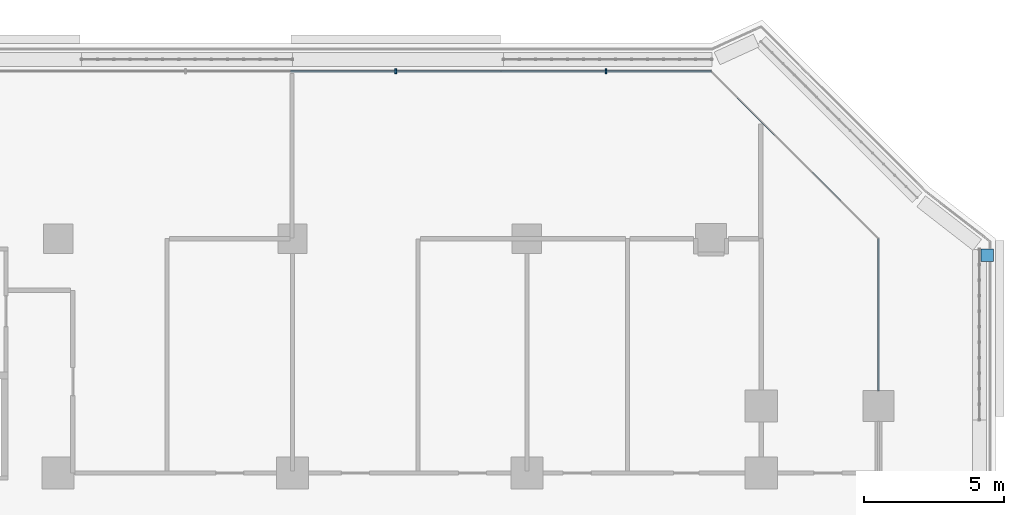
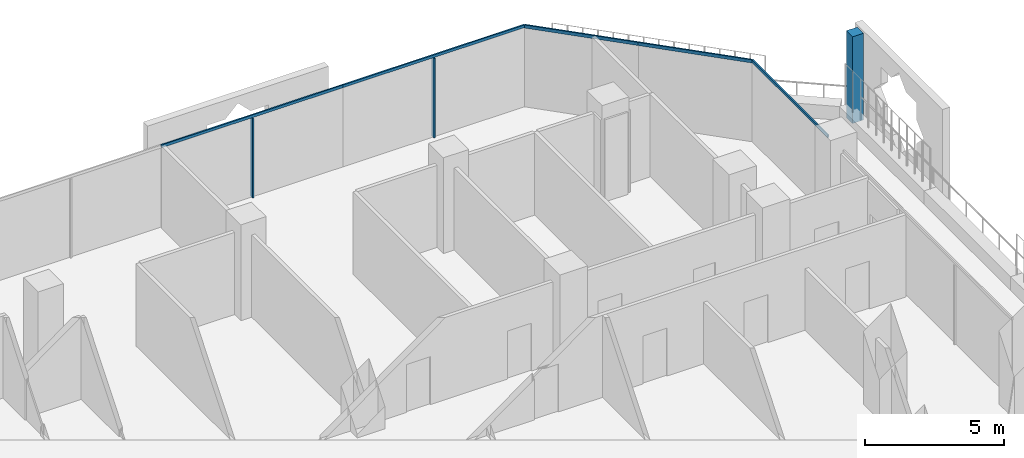
# One storey, part 10 of 27: 8 members, 4 elements without a shape of their own.
"""IFC4 building model written with IfcOpenShell, lengths in metres."""

import ifcopenshell
import ifcopenshell.guid

model = None  # the IFC model being written
_history = None  # IfcOwnerHistory: only IFC2X3 demands one
_inside = {}  # id of a spatial element -> (the spatial element, [elements in it])
_under = {}  # id of a project, library or spatial element -> (it, [spatial elements below it])
_declared = {}  # id of a project -> (the project, [libraries it declares])
_typed = {}  # id of a type object -> (the type object, [elements of that type])
_made_of = {}  # id of a material, layer set ... -> (it, [elements and type objects made of it])


def new_model(schema):
    """Start an empty IFC model of exactly this schema.

    Asked for "IFC4X3", IfcOpenShell would pick the latest addendum, in which some entities
    have other attributes; the version numbers below select the first issue.
    IFC2X3 requires an IfcOwnerHistory on every rooted entity: one is made here for all.
    """
    global model, _history
    if schema == "IFC4X3":
        model = ifcopenshell.file(schema_version=(4, 3, 0, 0))
    else:
        model = ifcopenshell.file(schema=schema)
    _inside.clear()
    _under.clear()
    _declared.clear()
    _typed.clear()
    _made_of.clear()
    _history = None
    if model.schema == "IFC2X3":
        org = make("IfcOrganization", Name="unknown")
        user = make(
            "IfcPersonAndOrganization",
            ThePerson=make("IfcPerson", FamilyName="unknown"),
            TheOrganization=org,
        )
        app = make(
            "IfcApplication",
            ApplicationDeveloper=org,
            Version="unknown",
            ApplicationFullName="unknown",
            ApplicationIdentifier="unknown",
        )
        _history = make(
            "IfcOwnerHistory",
            OwningUser=user,
            OwningApplication=app,
            ChangeAction="ADDED",
            CreationDate=0,
        )
    return model


def make(cls, **values):
    """One entity of the class cls with the attributes given. An attribute that is None is left unset."""
    return model.create_entity(
        cls, **{name: value for name, value in values.items() if value is not None}
    )


def rooted(cls, **values):
    """An entity with a GlobalId (a new one), such as an element, a storey or a relation."""
    return make(cls, GlobalId=ifcopenshell.guid.new(), OwnerHistory=_history, **values)


def si_unit(unit_type, name, prefix=None):
    """IfcSIUnit, for example si_unit("LENGTHUNIT", "METRE", prefix="MILLI")."""
    return make("IfcSIUnit", UnitType=unit_type, Prefix=prefix, Name=name)


def assignment(units):
    """IfcUnitAssignment: the units of a project."""
    return None if units is None else make("IfcUnitAssignment", Units=units)


def point(xyz):
    """IfcCartesianPoint."""
    return None if xyz is None else make("IfcCartesianPoint", Coordinates=xyz)


def direction(xyz):
    """IfcDirection."""
    return None if xyz is None else make("IfcDirection", DirectionRatios=xyz)


def frame(location, z_axis=None, x_axis=None):
    """IfcAxis2Placement3D, a coordinate frame: its origin and axes. An axis left out is left unset."""
    return make(
        "IfcAxis2Placement3D",
        Location=point(location),
        Axis=direction(z_axis),
        RefDirection=direction(x_axis),
    )


def frame_2d(location, x_axis=None):
    """IfcAxis2Placement2D, a coordinate frame in the plane: its origin and x axis."""
    return make(
        "IfcAxis2Placement2D", Location=point(location), RefDirection=direction(x_axis)
    )


def origin():
    """The frame at (0, 0, 0) with its axes left unset."""
    return frame((0.0, 0.0, 0.0))


def origin_2d():
    """The frame at (0, 0) in the plane with its x axis left unset."""
    return frame_2d((0.0, 0.0))


def place(relative_to, where):
    """IfcLocalPlacement: puts the frame where relative to a parent placement (None: the world)."""
    return make(
        "IfcLocalPlacement", PlacementRelTo=relative_to, RelativePlacement=where
    )


def context(
    kind, dimensions, precision=None, world=None, true_north=None, identifier=None
):
    """IfcGeometricRepresentationContext, for example the 3D "Model" context."""
    return make(
        "IfcGeometricRepresentationContext",
        ContextIdentifier=identifier,
        ContextType=kind,
        CoordinateSpaceDimension=dimensions,
        Precision=precision,
        WorldCoordinateSystem=world,
        TrueNorth=true_north,
    )


def subcontext(parent, identifier, kind, view, scale=None):
    """IfcGeometricRepresentationSubContext, for example "Body" below "Model"."""
    return make(
        "IfcGeometricRepresentationSubContext",
        ContextIdentifier=identifier,
        ContextType=kind,
        ParentContext=parent,
        TargetScale=scale,
        TargetView=view,
    )


def project(units=None, contexts=None):
    """IfcProject with its units and contexts."""
    return rooted(
        "IfcProject",
        Name="project",
        RepresentationContexts=contexts,
        UnitsInContext=assignment(units),
    )


def spatial(cls, under=None, at=None, **own):
    """A site, building, storey or space (cls), placed at a placement, below another one or the project."""
    s = rooted(cls, ObjectPlacement=at, **own)
    if under is not None:
        _under.setdefault(under.id(), (under, []))[1].append(s)
    return s


def profile(cls, at=None, kind="AREA", **sizes):
    """A parametric profile (cls). Its sizes go by their IFC names, for example OverallWidth=200.0."""
    return make(cls, ProfileType=kind, Position=at, **sizes)


def rectangle(**sizes):
    """IfcRectangleProfileDef."""
    return profile("IfcRectangleProfileDef", **sizes)


def extrude(swept, where, along, depth):
    """IfcExtrudedAreaSolid: the profile swept, set in the frame where, extruded along a direction by depth."""
    return make(
        "IfcExtrudedAreaSolid",
        SweptArea=swept,
        Position=where,
        ExtrudedDirection=direction(along),
        Depth=depth,
    )


def shape(context_of_items, identifier, shape_type, items):
    """IfcShapeRepresentation: the items that make up one representation, for example the "Body"."""
    return make(
        "IfcShapeRepresentation",
        ContextOfItems=context_of_items,
        RepresentationIdentifier=identifier,
        RepresentationType=shape_type,
        Items=items,
    )


def material(Name=None, Category=None):
    """IfcMaterial."""
    return make("IfcMaterial", Name=Name, Category=Category)


def layer(
    of_material, thickness, ventilated=None, Name=None, Category=None, Priority=None
):
    """IfcMaterialLayer: one layer of a wall or slab, of a material (None: an air gap)."""
    return make(
        "IfcMaterialLayer",
        Material=of_material,
        LayerThickness=thickness,
        IsVentilated=ventilated,
        Name=Name,
        Category=Category,
        Priority=Priority,
    )


def layer_set(layers, Name=None):
    """IfcMaterialLayerSet."""
    return make("IfcMaterialLayerSet", MaterialLayers=layers, LayerSetName=Name)


def material_profile(
    of_material, cross_section, Name=None, Category=None, Priority=None
):
    """IfcMaterialProfile: a cross section and its material."""
    return make(
        "IfcMaterialProfile",
        Name=Name,
        Material=of_material,
        Profile=cross_section,
        Priority=Priority,
        Category=Category,
    )


def profile_set(profiles, Name=None, composite=None):
    """IfcMaterialProfileSet."""
    return make(
        "IfcMaterialProfileSet",
        Name=Name,
        MaterialProfiles=profiles,
        CompositeProfile=composite,
    )


def made_of(thing, what):
    """Note that an element or type object is made of a material, layer set ...; save() writes the relation."""
    if what is not None:
        _made_of.setdefault(what.id(), (what, []))[1].append(thing)
    return thing


def type_object(cls, material=None, **own):
    """A type object (cls), such as IfcWallType, which elements share."""
    return made_of(rooted(cls, **own), material)


def element(
    cls,
    number,
    at=None,
    inside=None,
    cuts=None,
    type_object=None,
    material=None,
    context=None,
    identifier="Body",
    shape_type=None,
    held_by="IfcProductDefinitionShape",
    body=None,
    shapes=None,
    **own,
):
    """One element of the class cls, such as IfcWall. Its Tag is "e" and its number.

    at: its placement. inside: the storey or other place that contains it. cuts: it is an
    opening in that element (IfcRelVoidsElement). A single representation is given by context,
    identifier, shape_type and body (its items); several are given by shapes. held_by: the class
    of the entity that holds the representations. save() writes the other relations.
    """
    e = rooted(cls, Tag="e%d" % number, ObjectPlacement=at, **own)
    if body is not None:
        shapes = [shape(context, identifier, shape_type, body)]
    if shapes is not None:
        e.Representation = make(held_by, Representations=shapes)
    if inside is not None:
        _inside.setdefault(inside.id(), (inside, []))[1].append(e)
    if cuts is not None:
        rooted(
            "IfcRelVoidsElement", RelatingBuildingElement=cuts, RelatedOpeningElement=e
        )
    if type_object is not None:
        _typed.setdefault(type_object.id(), (type_object, []))[1].append(e)
    return made_of(e, material)


def aggregate(whole, parts):
    """IfcRelAggregates: a whole, such as a stair, and the parts it consists of."""
    return rooted("IfcRelAggregates", RelatingObject=whole, RelatedObjects=parts)


def save(model, path):
    """Write the relations noted so far, then the file.

    IfcRelAggregates (storeys below a building ...), IfcRelContainedInSpatialStructure (elements
    in a storey), IfcRelDefinesByType, IfcRelAssociatesMaterial and IfcRelDeclares: one each for
    every whole, place, type object, material and project.
    """
    for whole, parts in _under.values():
        aggregate(whole, parts)
    for where, things in _inside.values():
        rooted(
            "IfcRelContainedInSpatialStructure",
            RelatedElements=things,
            RelatingStructure=where,
        )
    for kind, things in _typed.values():
        rooted("IfcRelDefinesByType", RelatedObjects=things, RelatingType=kind)
    for what, things in _made_of.values():
        rooted("IfcRelAssociatesMaterial", RelatedObjects=things, RelatingMaterial=what)
    for by, libraries in _declared.values():
        rooted("IfcRelDeclares", RelatingContext=by, RelatedDefinitions=libraries)
    model.write(path)


model = new_model("IFC4")

# Units and contexts
model_context = context("Model", 3, precision=1e-05, world=origin(), true_north=direction((0.0, 1.0)))
body_context = subcontext(model_context, "Body", "Model", "MODEL_VIEW")
ifc_project = project(units=[si_unit("LENGTHUNIT", "METRE"), si_unit("AREAUNIT", "SQUARE_METRE"), si_unit("VOLUMEUNIT", "CUBIC_METRE"), si_unit("PLANEANGLEUNIT", "RADIAN"), si_unit("MASSUNIT", "GRAM", prefix="KILO")], contexts=[model_context])

# Site, building, storey
site_placement = place(None, origin())
site = spatial("IfcSite", under=ifc_project, at=site_placement, CompositionType="ELEMENT")
building_placement = place(site_placement, origin())
building = spatial("IfcBuilding", under=site, at=building_placement, Name="Kawkab Arch Medical Tower", CompositionType="ELEMENT")
storey_placement = place(building_placement, frame((0.0, 0.0, 103.0)))
storey = spatial("IfcBuildingStorey", under=building, at=storey_placement, Name="L23", CompositionType="ELEMENT", Elevation=103.0)

# Curtain wall, members
ifc_material_1 = material(Name="Bronze anodised aluminium curtain wall frame", Category="aluminium")
ifc_layer_1 = layer(ifc_material_1, 0.159912109375)
ifc_layer_set_1 = layer_set([ifc_layer_1], Name="Bronze anodised aluminium curtain wall frame")
curtain_wall_type_1 = type_object("IfcCurtainWallType", Name="CW1 ward curtain wall", PredefinedType="NOTDEFINED", material=ifc_layer_set_1)
placement = place(storey_placement, origin())
curtain_wall_1 = element("IfcCurtainWall", 1, at=placement, inside=storey, type_object=curtain_wall_type_1, Name="CW1 Ward curtain wall R11", PredefinedType="NOTDEFINED")
ifc_material_2 = material(Name="Bronze anodised aluminium curtain wall frame", Category="aluminium")
ifc_material_profile_1 = material_profile(ifc_material_2, rectangle(XDim=0.179931640625, YDim=0.06005859375, at=origin_2d()), Name="AL 60x180")
ifc_profile_set_1 = profile_set([ifc_material_profile_1], Name="Bronze anodised aluminium curtain wall frame")
member_type_1 = type_object("IfcMemberType", Name="CW1 mullion 60 x 180", PredefinedType="MULLION", material=ifc_profile_set_1)
member_1_placement = place(storey_placement, frame((70.033447265625, 6.0, 0.0), z_axis=(0.0, 0.0, 1.0), x_axis=(0.0, -1.0, 0.0)))
member_1 = element("IfcMember", 2, at=member_1_placement, type_object=member_type_1, Name="CW1 mullion 1.1", PredefinedType="MULLION", context=body_context, shape_type="SweptSolid", body=[
    extrude(rectangle(XDim=0.179931640625, YDim=0.06005859375, at=origin_2d()), origin(), (0.0, 0.0, 1.0), 3.47998046875),
])
member_2_placement = place(storey_placement, frame((62.5, 6.0, 0.0), z_axis=(0.0, 0.0, 1.0), x_axis=(0.0, -1.0, 0.0)))
member_2 = element("IfcMember", 3, at=member_2_placement, type_object=member_type_1, Name="CW1 mullion 2.1", PredefinedType="MULLION", context=body_context, shape_type="SweptSolid", body=[
    extrude(rectangle(XDim=0.179931640625, YDim=0.06005859375, at=origin_2d()), origin(), (0.0, 0.0, 1.0), 3.47998046875),
])

# Curtain wall, member
curtain_wall_2 = element("IfcCurtainWall", 4, at=placement, inside=storey, type_object=curtain_wall_type_1, Name="CW1 Ward curtain wall R09", PredefinedType="NOTDEFINED")
ifc_material_3 = material(Name="Bronze anodised aluminium curtain wall frame", Category="aluminium")
ifc_material_profile_2 = material_profile(ifc_material_3, rectangle(XDim=0.06005859375, YDim=0.1201171875, at=origin_2d()), Name="AL 60x120")
ifc_profile_set_2 = profile_set([ifc_material_profile_2], Name="Bronze anodised aluminium curtain wall frame")
member_type_2 = type_object("IfcMemberType", Name="CW1 transom 120 x 60", PredefinedType="USERDEFINED", material=ifc_profile_set_2)
member_3_placement = place(storey_placement, frame((79.800048828125, -5.449951171875, 3.5400390625), z_axis=(0.0, 1.0, 0.0), x_axis=(-1.0, 0.0, 0.0)))
member_3 = element("IfcMember", 5, at=member_3_placement, type_object=member_type_2, Name="CW1 transom 2", ObjectType="TRANSOM", PredefinedType="USERDEFINED", context=body_context, shape_type="SweptSolid", body=[
    extrude(rectangle(XDim=0.06005859375, YDim=0.1201171875, at=origin_2d()), origin(), (0.0, 0.0, 1.0), 5.449951171875),
])
aggregate(curtain_wall_2, [member_3])

# Member
member_4_placement = place(storey_placement, frame((73.800048828125, 6.0, 3.5400390625), z_axis=(-1.0, 0.0, 0.0), x_axis=(0.0, -1.0, 0.0)))
member_4 = element("IfcMember", 6, at=member_4_placement, type_object=member_type_2, Name="CW1 transom 1", ObjectType="TRANSOM", PredefinedType="USERDEFINED", context=body_context, shape_type="SweptSolid", body=[
    extrude(rectangle(XDim=0.06005859375, YDim=0.1201171875, at=origin_2d()), origin(), (0.0, 0.0, 1.0), 7.533447265625),
])

member_5_placement = place(storey_placement, frame((66.2666015625, 6.0, 3.5400390625), z_axis=(-1.0, 0.0, 0.0), x_axis=(0.0, -1.0, 0.0)))
member_5 = element("IfcMember", 7, at=member_5_placement, type_object=member_type_2, Name="CW1 transom 2", ObjectType="TRANSOM", PredefinedType="USERDEFINED", context=body_context, shape_type="SweptSolid", body=[
    extrude(rectangle(XDim=0.06005859375, YDim=0.1201171875, at=origin_2d()), origin(), (0.0, 0.0, 1.0), 7.533203125),
])

aggregate(curtain_wall_1, [member_4, member_1, member_5, member_2])

# Curtain wall, members
ifc_material_4 = material(Name="Bronze anodised aluminium curtain wall frame", Category="aluminium")
ifc_layer_2 = layer(ifc_material_4, 0.159912109375)
ifc_layer_set_2 = layer_set([ifc_layer_2], Name="Bronze anodised aluminium curtain wall frame")
curtain_wall_type_2 = type_object("IfcCurtainWallType", Name="CW2 chamfer curtain wall", PredefinedType="NOTDEFINED", material=ifc_layer_set_2)
curtain_wall_3 = element("IfcCurtainWall", 8, at=placement, inside=storey, type_object=curtain_wall_type_2, Name="CW2 Chamfer curtain wall R10", PredefinedType="NOTDEFINED")
ifc_material_5 = material(Name="Bronze anodised aluminium curtain wall frame", Category="aluminium")
ifc_material_profile_3 = material_profile(ifc_material_5, rectangle(XDim=0.06005859375, YDim=0.139892578125, at=origin_2d()), Name="AL 60x140")
ifc_profile_set_3 = profile_set([ifc_material_profile_3], Name="Bronze anodised aluminium curtain wall frame")
member_type_3 = type_object("IfcMemberType", Name="CW2 transom 140 x 60", PredefinedType="USERDEFINED", material=ifc_profile_set_3)
member_6_placement = place(storey_placement, frame((79.800048828125, 0.0, 3.530029296875), z_axis=(-0.707106781187, 0.707106781187, 0.0), x_axis=(-0.707106781187, -0.707106781187, 0.0)))
member_6 = element("IfcMember", 9, at=member_6_placement, type_object=member_type_3, Name="CW2 transom 1", ObjectType="TRANSOM", PredefinedType="USERDEFINED", context=body_context, shape_type="SweptSolid", body=[
    extrude(rectangle(XDim=0.06005859375, YDim=0.139892578125, at=origin_2d()), origin(), (0.0, 0.0, 1.0), 4.24267578125),
])
member_7_placement = place(storey_placement, frame((76.800048828125, 3.0, 3.530029296875), z_axis=(-0.707106781187, 0.707106781187, 0.0), x_axis=(-0.707106781187, -0.707106781187, 0.0)))
member_7 = element("IfcMember", 10, at=member_7_placement, type_object=member_type_3, Name="CW2 transom 2", ObjectType="TRANSOM", PredefinedType="USERDEFINED", context=body_context, shape_type="SweptSolid", body=[
    extrude(rectangle(XDim=0.06005859375, YDim=0.139892578125, at=origin_2d()), origin(), (0.0, 0.0, 1.0), 4.24267578125),
])
aggregate(curtain_wall_3, [member_6, member_7])

# Curtain wall, member
ifc_material_6 = material(Name="Bronze anodised aluminium climber frame, planted", Category="aluminium")
ifc_layer_3 = layer(ifc_material_6, 0.449951171875)
ifc_layer_set_3 = layer_set([ifc_layer_3], Name="Bronze anodised aluminium climber frame, planted")
curtain_wall_type_3 = type_object("IfcCurtainWallType", Name="Planted climber frame", PredefinedType="NOTDEFINED", material=ifc_layer_set_3)
curtain_wall_4 = element("IfcCurtainWall", 11, at=placement, inside=storey, type_object=curtain_wall_type_3, Name="Planted climber frame L23", PredefinedType="NOTDEFINED")
ifc_material_7 = material(Name="Bronze anodised aluminium climber frame, planted", Category="aluminium")
ifc_material_profile_4 = material_profile(ifc_material_7, rectangle(XDim=0.449951171875, YDim=0.449951171875, at=origin_2d()), Name="Post 450x450")
ifc_profile_set_4 = profile_set([ifc_material_profile_4], Name="Bronze anodised aluminium climber frame, planted")
member_type_4 = type_object("IfcMemberType", Name="Planted climber post 450 x 450", PredefinedType="MULLION", material=ifc_profile_set_4)
member_8_placement = place(storey_placement, frame((83.699951171875, -0.596923828125, 0.0), z_axis=(0.0, 0.0, 1.0), x_axis=(1.0, 0.0, 0.0)))
member_8 = element("IfcMember", 12, at=member_8_placement, type_object=member_type_4, Name="Planted climber post L23.LOG-01-02.3", PredefinedType="MULLION", context=body_context, shape_type="SweptSolid", body=[
    extrude(rectangle(XDim=0.449951171875, YDim=0.449951171875, at=origin_2d()), origin(), (0.0, 0.0, 1.0), 3.800048828125),
])
aggregate(curtain_wall_4, [member_8])

save(model, "model.ifc")
